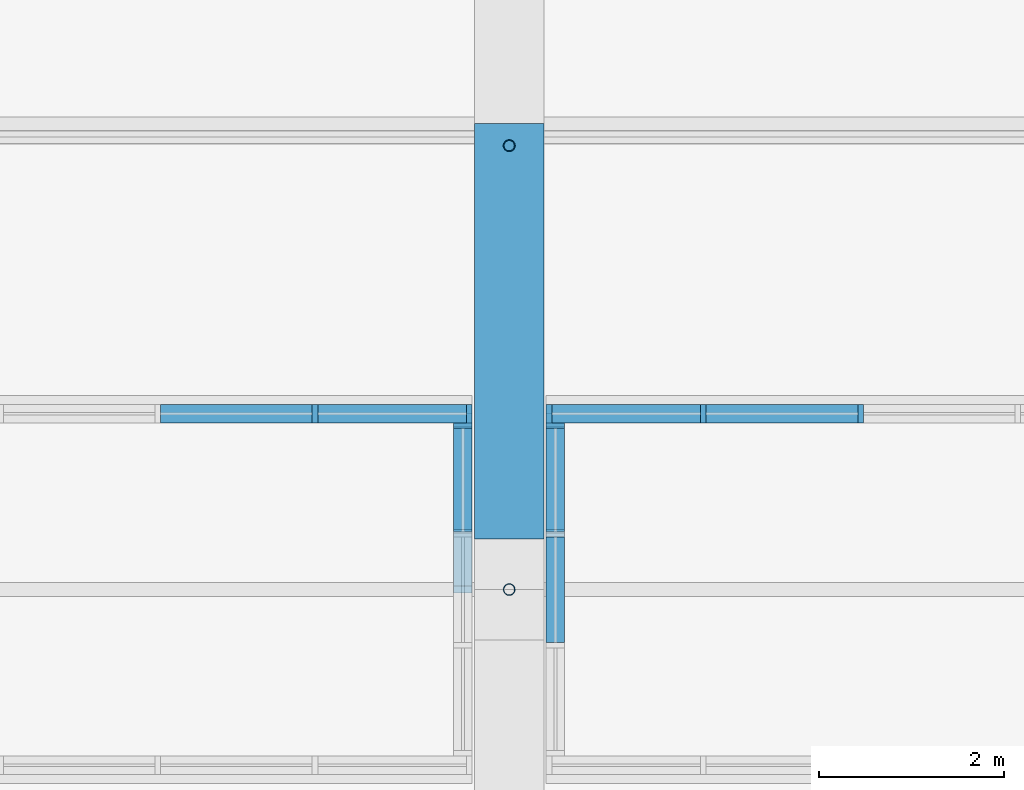
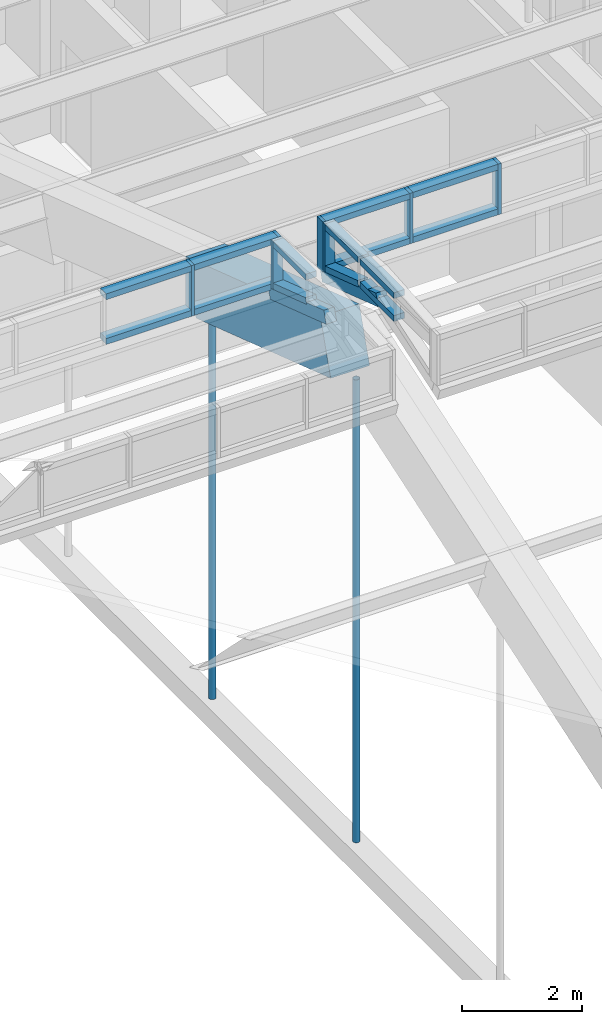
# One storey, part 78 of 149: 25 members, 1 beam, 4 elements without a shape of their own.
"""IFC4 building model written with IfcOpenShell, lengths in metres."""

from ifc_helpers import new_model, si_unit, direction, frame, origin, origin_2d, place, context, subcontext, project, spatial, rectangle, hollow_circle, extrude, material, material_profile, profile_set, type_object, element, aggregate, save


model = new_model("IFC4")

# Units and contexts
model_context = context("Model", 3, precision=1e-05, world=origin(), true_north=direction((0.0, 1.0)))
body_context = subcontext(model_context, "Body", "Model", "MODEL_VIEW")
ifc_project = project(units=[si_unit("LENGTHUNIT", "METRE"), si_unit("AREAUNIT", "SQUARE_METRE"), si_unit("VOLUMEUNIT", "CUBIC_METRE"), si_unit("PLANEANGLEUNIT", "RADIAN"), si_unit("MASSUNIT", "GRAM", prefix="KILO")], contexts=[model_context])

# Site, building, storey
site_placement = place(None, origin())
site = spatial("IfcSite", under=ifc_project, at=site_placement, CompositionType="ELEMENT")
building_placement = place(site_placement, origin())
building = spatial("IfcBuilding", under=site, at=building_placement, Name="Alderwick Market Hall", CompositionType="ELEMENT")
storey_placement = place(building_placement, frame((0.0, 0.0, 9.60009765625)))
storey = spatial("IfcBuildingStorey", under=building, at=storey_placement, Name="L01", CompositionType="ELEMENT", Elevation=9.60009765625)

# Beam
ifc_material_1 = material(Name="Concrete 5000 psi (f'c 35 MPa)", Category="concrete")
ifc_material_profile_1 = material_profile(ifc_material_1, rectangle(XDim=0.75, YDim=1.10009765625, at=origin_2d()), Name="RC 750x1100")
ifc_profile_set_1 = profile_set([ifc_material_profile_1], Name="Concrete 5000 psi (f'c 35 MPa)")
beam_type = type_object("IfcBeamType", Name="R Arch Rib Crown 750x1100", PredefinedType="BEAM", material=ifc_profile_set_1)
beam_placement = place(storey_placement, frame((136.800048828125, 79.573974609375, 16.2861328125), z_axis=(0.0, 0.948672979153, -0.316258721025), x_axis=(-1.0, 0.0, 0.0)))
element("IfcBeam", 1, at=beam_placement, inside=storey, type_object=beam_type, Name="Arch rib 7 chord 7", PredefinedType="BEAM", context=body_context, shape_type="SweptSolid", body=[
    extrude(rectangle(XDim=0.75, YDim=1.10009765625, at=origin_2d()), origin(), (0.0, 0.0, 1.0), 4.732177734375),
])

# Curtain wall, members
ifc_material_2 = material(Name="Aluminium", Category="aluminium")
curtain_wall_type = type_object("IfcCurtainWallType", Name="R Curtain Wall Frame", PredefinedType="NOTDEFINED", material=ifc_material_2)
curtain_wall_1_placement = place(storey_placement, origin())
curtain_wall_1 = element("IfcCurtainWall", 2, at=curtain_wall_1_placement, inside=storey, type_object=curtain_wall_type, Name="Curtain wall LCW N6", PredefinedType="NOTDEFINED")
ifc_material_profile_2 = material_profile(ifc_material_2, rectangle(XDim=0.199951171875, YDim=0.06005859375, at=origin_2d()), Name="AL 60x200")
ifc_profile_set_2 = profile_set([ifc_material_profile_2], Name="Aluminium")
member_type_1 = type_object("IfcMemberType", Name="R CW Mullion 60x200", PredefinedType="MULLION", material=ifc_profile_set_2)
member_1_placement = place(storey_placement, frame((134.699951171875, 81.10009765625, 16.670166015625), z_axis=(0.0, 0.0, 1.0), x_axis=(0.0, 1.0, 0.0)))
member_1 = element("IfcMember", 3, at=member_1_placement, type_object=member_type_1, Name="LCW N6 mullion 8", PredefinedType="MULLION", context=body_context, shape_type="SweptSolid", body=[
    extrude(rectangle(XDim=0.199951171875, YDim=0.06005859375, at=origin_2d()), origin(), (0.0, 0.0, 1.0), 1.02978515625),
])
member_2_placement = place(storey_placement, frame((136.3701171875, 81.10009765625, 16.670166015625), z_axis=(0.0, 0.0, 1.0), x_axis=(0.0, 1.0, 0.0)))
member_2 = element("IfcMember", 4, at=member_2_placement, type_object=member_type_1, Name="LCW N6 mullion 9", PredefinedType="MULLION", context=body_context, shape_type="SweptSolid", body=[
    extrude(rectangle(XDim=0.199951171875, YDim=0.06005859375, at=origin_2d()), origin(), (0.0, 0.0, 1.0), 1.02978515625),
])

# Curtain wall, member
curtain_wall_2_placement = place(storey_placement, origin())
curtain_wall_2 = element("IfcCurtainWall", 5, at=curtain_wall_2_placement, inside=storey, type_object=curtain_wall_type, Name="Curtain wall LCW E6", PredefinedType="NOTDEFINED")
member_3_placement = place(storey_placement, frame((136.300048828125, 80.969970703125, 16.713623046875), z_axis=(0.0, 0.0, 1.0), x_axis=(1.0, 0.0, 0.0)))
member_3 = element("IfcMember", 6, at=member_3_placement, type_object=member_type_1, Name="LCW E6 mullion 4", PredefinedType="MULLION", context=body_context, shape_type="SweptSolid", body=[
    extrude(rectangle(XDim=0.199951171875, YDim=0.06005859375, at=origin_2d()), origin(), (0.0, 0.0, 1.0), 0.986328125),
])

# Curtain wall, members
curtain_wall_3_placement = place(storey_placement, origin())
curtain_wall_3 = element("IfcCurtainWall", 7, at=curtain_wall_3_placement, inside=storey, type_object=curtain_wall_type, Name="Curtain wall LCW N7", PredefinedType="NOTDEFINED")
member_4_placement = place(storey_placement, frame((137.22998046875, 81.10009765625, 16.670166015625), z_axis=(0.0, 0.0, 1.0), x_axis=(0.0, 1.0, 0.0)))
member_4 = element("IfcMember", 8, at=member_4_placement, type_object=member_type_1, Name="LCW N7 mullion 1", PredefinedType="MULLION", context=body_context, shape_type="SweptSolid", body=[
    extrude(rectangle(XDim=0.199951171875, YDim=0.06005859375, at=origin_2d()), origin(), (0.0, 0.0, 1.0), 1.02978515625),
])
member_5_placement = place(storey_placement, frame((138.89990234375, 81.10009765625, 16.670166015625), z_axis=(0.0, 0.0, 1.0), x_axis=(0.0, 1.0, 0.0)))
member_5 = element("IfcMember", 9, at=member_5_placement, type_object=member_type_1, Name="LCW N7 mullion 2", PredefinedType="MULLION", context=body_context, shape_type="SweptSolid", body=[
    extrude(rectangle(XDim=0.199951171875, YDim=0.06005859375, at=origin_2d()), origin(), (0.0, 0.0, 1.0), 1.02978515625),
])
member_6_placement = place(storey_placement, frame((140.60009765625, 81.10009765625, 16.670166015625), z_axis=(0.0, 0.0, 1.0), x_axis=(0.0, 1.0, 0.0)))
member_6 = element("IfcMember", 10, at=member_6_placement, type_object=member_type_1, Name="LCW N7 mullion 3", PredefinedType="MULLION", context=body_context, shape_type="SweptSolid", body=[
    extrude(rectangle(XDim=0.199951171875, YDim=0.06005859375, at=origin_2d()), origin(), (0.0, 0.0, 1.0), 1.02978515625),
])

# Curtain wall, member
curtain_wall_4_placement = place(storey_placement, origin())
curtain_wall_4 = element("IfcCurtainWall", 11, at=curtain_wall_4_placement, inside=storey, type_object=curtain_wall_type, Name="Curtain wall LCW W7", PredefinedType="NOTDEFINED")
member_7_placement = place(storey_placement, frame((137.300048828125, 80.969970703125, 16.713623046875), z_axis=(0.0, 0.0, 1.0), x_axis=(1.0, 0.0, 0.0)))
member_7 = element("IfcMember", 12, at=member_7_placement, type_object=member_type_1, Name="LCW W7 mullion 4", PredefinedType="MULLION", context=body_context, shape_type="SweptSolid", body=[
    extrude(rectangle(XDim=0.199951171875, YDim=0.06005859375, at=origin_2d()), origin(), (0.0, 0.0, 1.0), 0.986328125),
])

# Member
ifc_material_profile_3 = material_profile(ifc_material_2, rectangle(XDim=0.199951171875, YDim=0.1201171875, at=origin_2d()), Name="AL 120x200")
ifc_profile_set_3 = profile_set([ifc_material_profile_3], Name="Aluminium")
member_type_2 = type_object("IfcMemberType", Name="R CW Transom 120x200", PredefinedType="USERDEFINED", material=ifc_profile_set_3)
member_8_placement = place(storey_placement, frame((133.030029296875, 81.10009765625, 16.730224609375), z_axis=(1.0, 0.0, 0.0), x_axis=(0.0, 1.0, 0.0)))
member_8 = element("IfcMember", 13, at=member_8_placement, type_object=member_type_2, Name="LCW N6 sill transom 7", ObjectType="TRANSOM", PredefinedType="USERDEFINED", context=body_context, shape_type="SweptSolid", body=[
    extrude(rectangle(XDim=0.199951171875, YDim=0.1201171875, at=origin_2d()), origin(), (0.0, 0.0, 1.0), 1.639892578125),
])

member_9_placement = place(storey_placement, frame((133.030029296875, 81.10009765625, 17.639892578125), z_axis=(1.0, 0.0, 0.0), x_axis=(0.0, 1.0, 0.0)))
member_9 = element("IfcMember", 14, at=member_9_placement, type_object=member_type_2, Name="LCW N6 head transom 7", ObjectType="TRANSOM", PredefinedType="USERDEFINED", context=body_context, shape_type="SweptSolid", body=[
    extrude(rectangle(XDim=0.199951171875, YDim=0.1201171875, at=origin_2d()), origin(), (0.0, 0.0, 1.0), 1.639892578125),
])

member_10_placement = place(storey_placement, frame((134.72998046875, 81.10009765625, 16.730224609375), z_axis=(1.0, 0.0, 0.0), x_axis=(0.0, 1.0, 0.0)))
member_10 = element("IfcMember", 15, at=member_10_placement, type_object=member_type_2, Name="LCW N6 sill transom 8", ObjectType="TRANSOM", PredefinedType="USERDEFINED", context=body_context, shape_type="SweptSolid", body=[
    extrude(rectangle(XDim=0.199951171875, YDim=0.1201171875, at=origin_2d()), origin(), (0.0, 0.0, 1.0), 1.610107421875),
])

member_11_placement = place(storey_placement, frame((134.72998046875, 81.10009765625, 17.639892578125), z_axis=(1.0, 0.0, 0.0), x_axis=(0.0, 1.0, 0.0)))
member_11 = element("IfcMember", 16, at=member_11_placement, type_object=member_type_2, Name="LCW N6 head transom 8", ObjectType="TRANSOM", PredefinedType="USERDEFINED", context=body_context, shape_type="SweptSolid", body=[
    extrude(rectangle(XDim=0.199951171875, YDim=0.1201171875, at=origin_2d()), origin(), (0.0, 0.0, 1.0), 1.610107421875),
])

aggregate(curtain_wall_1, [member_1, member_2, member_8, member_9, member_10, member_11])

member_12_placement = place(storey_placement, frame((136.300048828125, 79.830078125, 17.153564453125), z_axis=(0.0, 0.948641554568, -0.316352968923), x_axis=(-1.0, 0.0, 0.0)))
member_12 = element("IfcMember", 17, at=member_12_placement, type_object=member_type_2, Name="LCW E6 sill transom 3", ObjectType="TRANSOM", PredefinedType="USERDEFINED", context=body_context, shape_type="SweptSolid", body=[
    extrude(rectangle(XDim=0.199951171875, YDim=0.1201171875, at=origin_2d()), origin(), (0.0, 0.0, 1.0), 1.169921875),
])

member_13_placement = place(storey_placement, frame((136.300048828125, 79.830078125, 17.639892578125), z_axis=(0.0, 1.0, 0.0), x_axis=(-1.0, 0.0, 0.0)))
member_13 = element("IfcMember", 18, at=member_13_placement, type_object=member_type_2, Name="LCW E6 head transom 3", ObjectType="TRANSOM", PredefinedType="USERDEFINED", context=body_context, shape_type="SweptSolid", body=[
    extrude(rectangle(XDim=0.199951171875, YDim=0.1201171875, at=origin_2d()), origin(), (0.0, 0.0, 1.0), 1.10986328125),
])

member_14_placement = place(storey_placement, frame((137.260009765625, 81.10009765625, 16.730224609375), z_axis=(1.0, 0.0, 0.0), x_axis=(0.0, 1.0, 0.0)))
member_14 = element("IfcMember", 19, at=member_14_placement, type_object=member_type_2, Name="LCW N7 sill transom 1", ObjectType="TRANSOM", PredefinedType="USERDEFINED", context=body_context, shape_type="SweptSolid", body=[
    extrude(rectangle(XDim=0.199951171875, YDim=0.1201171875, at=origin_2d()), origin(), (0.0, 0.0, 1.0), 1.610107421875),
])

member_15_placement = place(storey_placement, frame((137.260009765625, 81.10009765625, 17.639892578125), z_axis=(1.0, 0.0, 0.0), x_axis=(0.0, 1.0, 0.0)))
member_15 = element("IfcMember", 20, at=member_15_placement, type_object=member_type_2, Name="LCW N7 head transom 1", ObjectType="TRANSOM", PredefinedType="USERDEFINED", context=body_context, shape_type="SweptSolid", body=[
    extrude(rectangle(XDim=0.199951171875, YDim=0.1201171875, at=origin_2d()), origin(), (0.0, 0.0, 1.0), 1.610107421875),
])

member_16_placement = place(storey_placement, frame((138.929931640625, 81.10009765625, 16.730224609375), z_axis=(1.0, 0.0, 0.0), x_axis=(0.0, 1.0, 0.0)))
member_16 = element("IfcMember", 21, at=member_16_placement, type_object=member_type_2, Name="LCW N7 sill transom 2", ObjectType="TRANSOM", PredefinedType="USERDEFINED", context=body_context, shape_type="SweptSolid", body=[
    extrude(rectangle(XDim=0.199951171875, YDim=0.1201171875, at=origin_2d()), origin(), (0.0, 0.0, 1.0), 1.64013671875),
])

member_17_placement = place(storey_placement, frame((138.929931640625, 81.10009765625, 17.639892578125), z_axis=(1.0, 0.0, 0.0), x_axis=(0.0, 1.0, 0.0)))
member_17 = element("IfcMember", 22, at=member_17_placement, type_object=member_type_2, Name="LCW N7 head transom 2", ObjectType="TRANSOM", PredefinedType="USERDEFINED", context=body_context, shape_type="SweptSolid", body=[
    extrude(rectangle(XDim=0.199951171875, YDim=0.1201171875, at=origin_2d()), origin(), (0.0, 0.0, 1.0), 1.64013671875),
])

aggregate(curtain_wall_3, [member_4, member_5, member_6, member_14, member_15, member_16, member_17])

member_18_placement = place(storey_placement, frame((137.300048828125, 78.6298828125, 17.173583984375), z_axis=(0.0, 1.0, 0.0), x_axis=(-1.0, 0.0, 0.0)))
member_18 = element("IfcMember", 23, at=member_18_placement, type_object=member_type_2, Name="LCW W7 sill transom 2", ObjectType="TRANSOM", PredefinedType="USERDEFINED", context=body_context, shape_type="SweptSolid", body=[
    extrude(rectangle(XDim=0.199951171875, YDim=0.1201171875, at=origin_2d()), origin(), (0.0, 0.0, 1.0), 1.14013671875),
])

member_19_placement = place(storey_placement, frame((137.300048828125, 78.6298828125, 17.639892578125), z_axis=(0.0, 1.0, 0.0), x_axis=(-1.0, 0.0, 0.0)))
member_19 = element("IfcMember", 24, at=member_19_placement, type_object=member_type_2, Name="LCW W7 head transom 2", ObjectType="TRANSOM", PredefinedType="USERDEFINED", context=body_context, shape_type="SweptSolid", body=[
    extrude(rectangle(XDim=0.199951171875, YDim=0.1201171875, at=origin_2d()), origin(), (0.0, 0.0, 1.0), 1.14013671875),
])

member_20_placement = place(storey_placement, frame((137.300048828125, 79.830078125, 17.153564453125), z_axis=(0.0, 0.948641554568, -0.316352968923), x_axis=(-1.0, 0.0, 0.0)))
member_20 = element("IfcMember", 25, at=member_20_placement, type_object=member_type_2, Name="LCW W7 sill transom 3", ObjectType="TRANSOM", PredefinedType="USERDEFINED", context=body_context, shape_type="SweptSolid", body=[
    extrude(rectangle(XDim=0.199951171875, YDim=0.1201171875, at=origin_2d()), origin(), (0.0, 0.0, 1.0), 1.169921875),
])

member_21_placement = place(storey_placement, frame((137.300048828125, 79.830078125, 17.639892578125), z_axis=(0.0, 1.0, 0.0), x_axis=(-1.0, 0.0, 0.0)))
member_21 = element("IfcMember", 26, at=member_21_placement, type_object=member_type_2, Name="LCW W7 head transom 3", ObjectType="TRANSOM", PredefinedType="USERDEFINED", context=body_context, shape_type="SweptSolid", body=[
    extrude(rectangle(XDim=0.199951171875, YDim=0.1201171875, at=origin_2d()), origin(), (0.0, 0.0, 1.0), 1.10986328125),
])

# Members
ifc_material_3 = material(Name="Steel ASTM A500 Grade C", Category="steel")
ifc_material_profile_4 = material_profile(ifc_material_3, hollow_circle(Radius=0.0634765625, WallThickness=0.005859375, at=origin_2d()), Name="HSS5.000x0.250")
ifc_profile_set_4 = profile_set([ifc_material_profile_4], Name="Steel ASTM A500 Grade C")
member_type_3 = type_object("IfcMemberType", Name="R Hanger HSS5.000x0.250", PredefinedType="POST", material=ifc_profile_set_4)
member_22_placement = place(storey_placement, frame((136.800048828125, 79.199951171875, 6.35302734375), z_axis=(0.0, 0.0, 1.0), x_axis=(1.0, 0.0, 0.0)))
element("IfcMember", 27, at=member_22_placement, inside=storey, type_object=member_type_3, Name="Arch hanger 7.6", PredefinedType="POST", context=body_context, shape_type="SweptSolid", body=[
    extrude(hollow_circle(Radius=0.0634765625, WallThickness=0.005859375, at=origin_2d()), origin(), (0.0, 0.0, 1.0), 9.411376953125),
])
member_23_placement = place(storey_placement, frame((136.800048828125, 84.0, 6.35302734375), z_axis=(0.0, 0.0, 1.0), x_axis=(1.0, 0.0, 0.0)))
element("IfcMember", 28, at=member_23_placement, inside=storey, type_object=member_type_3, Name="Arch hanger 7.7", PredefinedType="POST", context=body_context, shape_type="SweptSolid", body=[
    extrude(hollow_circle(Radius=0.0634765625, WallThickness=0.005859375, at=origin_2d()), origin(), (0.0, 0.0, 1.0), 7.856689453125),
])

# Member
ifc_material_4 = material(Name="Steel ASTM A572 Grade 50", Category="steel")
ifc_material_profile_5 = material_profile(ifc_material_4, rectangle(XDim=0.199951171875, YDim=0.25, at=origin_2d()), Name="Steel plate curb 200x250")
ifc_profile_set_5 = profile_set([ifc_material_profile_5], Name="Steel ASTM A572 Grade 50")
member_type_4 = type_object("IfcMemberType", Name="R Lantern Curb 200x250", PredefinedType="MEMBER", material=ifc_profile_set_5)
member_24_placement = place(storey_placement, frame((136.300048828125, 79.199951171875, 17.20654296875), z_axis=(0.0, 0.948695716428, -0.316190508447), x_axis=(-1.0, 0.0, 0.0)))
member_24 = element("IfcMember", 29, at=member_24_placement, type_object=member_type_4, Name="Lantern end curb E6.2", PredefinedType="MEMBER", context=body_context, shape_type="SweptSolid", body=[
    extrude(rectangle(XDim=0.199951171875, YDim=0.25, at=origin_2d()), origin(), (0.0, 0.0, 1.0), 1.9658203125),
])

aggregate(curtain_wall_2, [member_3, member_12, member_13, member_24])

member_25_placement = place(storey_placement, frame((137.300048828125, 79.199951171875, 17.20654296875), z_axis=(0.0, 0.948695716428, -0.316190508447), x_axis=(-1.0, 0.0, 0.0)))
member_25 = element("IfcMember", 30, at=member_25_placement, type_object=member_type_4, Name="Lantern end curb W7.2", PredefinedType="MEMBER", context=body_context, shape_type="SweptSolid", body=[
    extrude(rectangle(XDim=0.199951171875, YDim=0.25, at=origin_2d()), origin(), (0.0, 0.0, 1.0), 1.9658203125),
])

aggregate(curtain_wall_4, [member_7, member_18, member_19, member_20, member_21, member_25])

save(model, "model.ifc")
